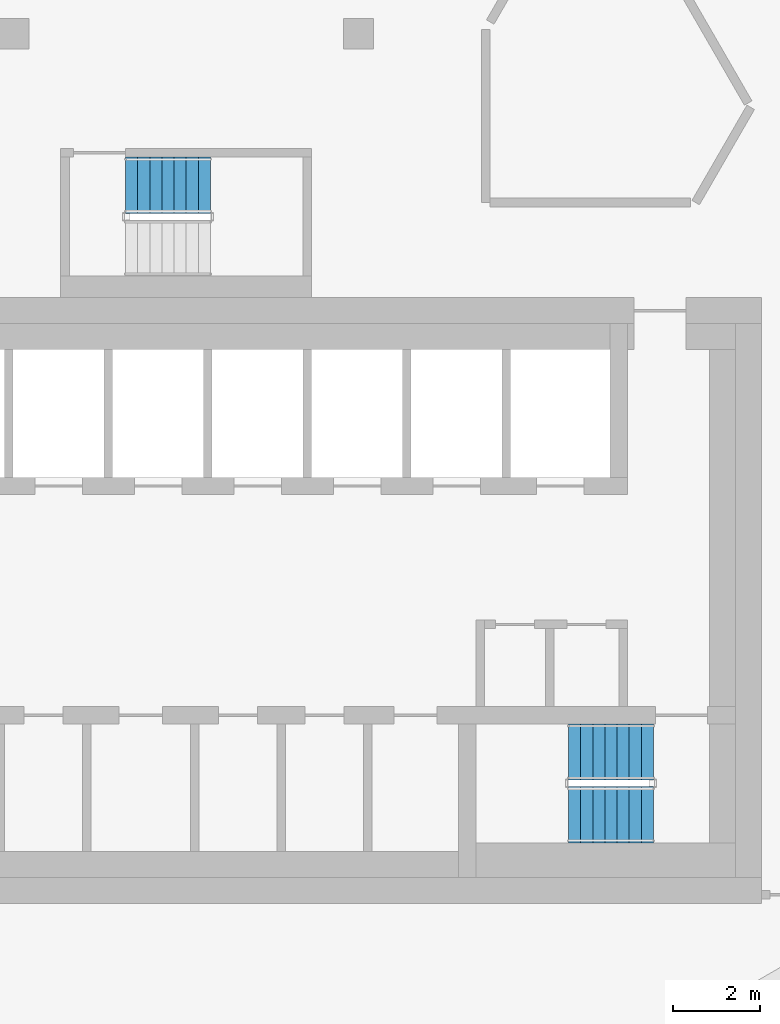
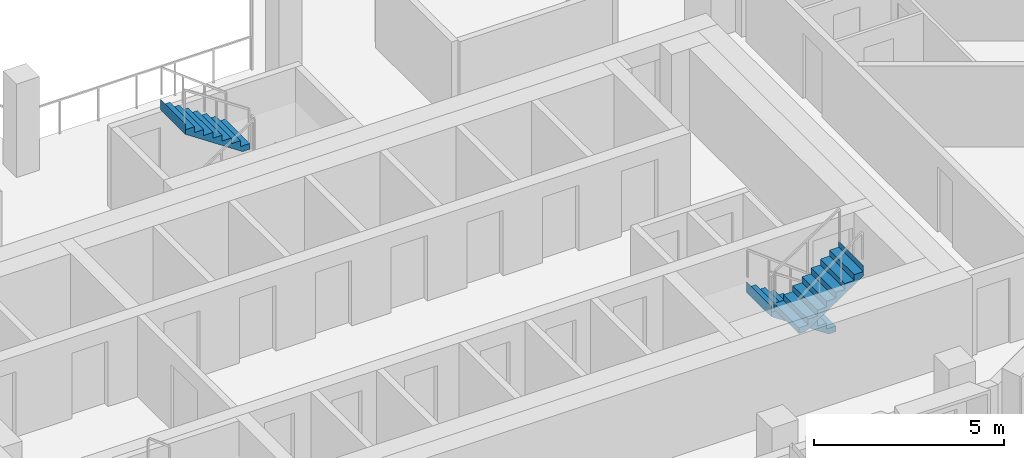
# One storey, part 13 of 18: 3 stair flights, 2 elements without a shape of their own.
"""IFC4 building model written with IfcOpenShell, lengths in metres."""

from ifc_helpers import new_model, si_unit, direction, frame, origin, place, context, subcontext, project, spatial, triangles, material, type_object, element, aggregate, save


model = new_model("IFC4")

# Units and contexts
model_context = context("Model", 3, precision=1e-05, world=origin(), true_north=direction((0.0, 1.0)))
body_context = subcontext(model_context, "Body", "Model", "MODEL_VIEW")
ifc_project = project(units=[si_unit("LENGTHUNIT", "METRE"), si_unit("AREAUNIT", "SQUARE_METRE"), si_unit("VOLUMEUNIT", "CUBIC_METRE"), si_unit("PLANEANGLEUNIT", "RADIAN"), si_unit("MASSUNIT", "GRAM", prefix="KILO")], contexts=[model_context])

# Site, building, storey
site_placement = place(None, origin())
site = spatial("IfcSite", under=ifc_project, at=site_placement, CompositionType="ELEMENT")
building_placement = place(site_placement, origin())
building = spatial("IfcBuilding", under=site, at=building_placement, Name="Beryl Residences", CompositionType="ELEMENT")
storey_placement = place(building_placement, frame((0.0, 0.0, 196.199951171875)))
storey = spatial("IfcBuildingStorey", under=building, at=storey_placement, Name="L60", CompositionType="ELEMENT", Elevation=196.199951171875)

# Stair, stair flights
ifc_material_1 = material(Name="Concrete C40/50", Category="concrete")
stair_type = type_object("IfcStairType", Name="ST1 protected exit stair, half-turn, 1300 mm flights", PredefinedType="HALF_TURN_STAIR", material=ifc_material_1)
stair_1_placement = place(storey_placement, origin())
stair_1 = element("IfcStair", 1, at=stair_1_placement, inside=storey, type_object=stair_type, Name="L60 PROTECTED EXIT STAIR ST-3", PredefinedType="HALF_TURN_STAIR")
ifc_material_2 = material(Name="Concrete C40/50", Category="concrete")
stair_flight_type = type_object("IfcStairFlightType", Name="SF1 stair flight 1300 mm", PredefinedType="STRAIGHT", material=ifc_material_2)
stair_flight_1_placement = place(storey_placement, frame((10.800048828125, -15.5, 0.0), z_axis=(0.0, 0.0, 1.0), x_axis=(-1.0, 0.0, 0.0)))
stair_flight_1 = element("IfcStairFlight", 2, at=stair_flight_1_placement, type_object=stair_flight_type, Name="ST-3 flight 1", NumberOfRisers=8, NumberOfTreads=7, PredefinedType="STRAIGHT", RiserHeight=0.1875, TreadLength=0.28, context=body_context, shape_type="Tessellation", body=[
    triangles([(0.0, -0.64990234375, 0.0), (0.0, -0.324951171875, 0.0), (0.0, 0.0, 0.0), (0.0, 0.324951171875, 0.0), (0.0, 0.64990234375, 0.0), (0.0, -0.64990234375, 0.1875), (0.0, -0.324951171875, 0.1875), (0.0, 0.0, 0.1875), (0.0, 0.324951171875, 0.1875), (0.0, 0.64990234375, 0.1875), (0.280029296875, -0.64990234375, 0.1875), (0.280029296875, -0.324951171875, 0.1875), (0.280029296875, 0.0, 0.1875), (0.280029296875, 0.324951171875, 0.1875), (0.280029296875, 0.64990234375, 0.1875), (0.280029296875, -0.64990234375, 0.375), (0.280029296875, -0.324951171875, 0.375), (0.280029296875, 0.0, 0.375), (0.280029296875, 0.324951171875, 0.375), (0.280029296875, 0.64990234375, 0.375), (0.56005859375, -0.64990234375, 0.375), (0.56005859375, -0.324951171875, 0.375), (0.56005859375, 0.0, 0.375), (0.56005859375, 0.324951171875, 0.375), (0.56005859375, 0.64990234375, 0.375), (0.56005859375, -0.64990234375, 0.5625), (0.56005859375, -0.324951171875, 0.5625), (0.56005859375, 0.0, 0.5625), (0.56005859375, 0.324951171875, 0.5625), (0.56005859375, 0.64990234375, 0.5625), (0.840087890625, -0.64990234375, 0.5625), (0.840087890625, -0.324951171875, 0.5625), (0.840087890625, 0.0, 0.5625), (0.840087890625, 0.324951171875, 0.5625), (0.840087890625, 0.64990234375, 0.5625), (0.840087890625, -0.64990234375, 0.75), (0.840087890625, -0.324951171875, 0.75), (0.840087890625, 0.0, 0.75), (0.840087890625, 0.324951171875, 0.75), (0.840087890625, 0.64990234375, 0.75), (1.1201171875, -0.64990234375, 0.75), (1.1201171875, -0.324951171875, 0.75), (1.1201171875, 0.0, 0.75), (1.1201171875, 0.324951171875, 0.75), (1.1201171875, 0.64990234375, 0.75), (1.1201171875, -0.64990234375, 0.9375), (1.1201171875, -0.324951171875, 0.9375), (1.1201171875, 0.0, 0.9375), (1.1201171875, 0.324951171875, 0.9375), (1.1201171875, 0.64990234375, 0.9375), (1.39990234375, -0.64990234375, 0.9375), (1.39990234375, -0.324951171875, 0.9375), (1.39990234375, 0.0, 0.9375), (1.39990234375, 0.324951171875, 0.9375), (1.39990234375, 0.64990234375, 0.9375), (1.39990234375, -0.64990234375, 1.125), (1.39990234375, -0.324951171875, 1.125), (1.39990234375, 0.0, 1.125), (1.39990234375, 0.324951171875, 1.125), (1.39990234375, 0.64990234375, 1.125), (1.679931640625, -0.64990234375, 1.125), (1.679931640625, -0.324951171875, 1.125), (1.679931640625, 0.0, 1.125), (1.679931640625, 0.324951171875, 1.125), (1.679931640625, 0.64990234375, 1.125), (1.679931640625, -0.64990234375, 1.3125), (1.679931640625, -0.324951171875, 1.3125), (1.679931640625, 0.0, 1.3125), (1.679931640625, 0.324951171875, 1.3125), (1.679931640625, 0.64990234375, 1.3125), (1.9599609375, -0.64990234375, 1.3125), (1.9599609375, -0.324951171875, 1.3125), (1.9599609375, 0.0, 1.3125), (1.9599609375, 0.324951171875, 1.3125), (1.9599609375, 0.64990234375, 1.3125), (1.9599609375, -0.64990234375, 1.5), (1.9599609375, -0.324951171875, 1.5), (1.9599609375, 0.0, 1.5), (1.9599609375, 0.324951171875, 1.5), (1.9599609375, 0.64990234375, 1.5), (1.9609375, -0.64990234375, 1.5), (1.9609375, -0.324951171875, 1.5), (1.9609375, 0.0, 1.5), (1.9609375, 0.324951171875, 1.5), (1.9609375, 0.64990234375, 1.5), (1.9609375, -0.64990234375, 1.16796875), (1.9609375, -0.324951171875, 1.16796875), (1.9609375, 0.0, 1.16796875), (1.9609375, 0.324951171875, 1.16796875), (1.9609375, 0.64990234375, 1.16796875), (0.216796875, -0.64990234375, 0.0), (0.216796875, -0.324951171875, 0.0), (0.216796875, 0.0, 0.0), (0.216796875, 0.324951171875, 0.0), (0.216796875, 0.64990234375, 0.0)], [[1, 6, 7], [1, 7, 2], [2, 7, 8], [2, 8, 3], [3, 8, 9], [3, 9, 4], [4, 9, 10], [4, 10, 5], [6, 11, 12], [6, 12, 7], [7, 12, 13], [7, 13, 8], [8, 13, 14], [8, 14, 9], [9, 14, 15], [9, 15, 10], [11, 16, 17], [11, 17, 12], [12, 17, 18], [12, 18, 13], [13, 18, 19], [13, 19, 14], [14, 19, 20], [14, 20, 15], [16, 21, 22], [16, 22, 17], [17, 22, 23], [17, 23, 18], [18, 23, 24], [18, 24, 19], [19, 24, 25], [19, 25, 20], [21, 26, 27], [21, 27, 22], [22, 27, 28], [22, 28, 23], [23, 28, 29], [23, 29, 24], [24, 29, 30], [24, 30, 25], [26, 31, 32], [26, 32, 27], [27, 32, 33], [27, 33, 28], [28, 33, 34], [28, 34, 29], [29, 34, 35], [29, 35, 30], [31, 36, 37], [31, 37, 32], [32, 37, 38], [32, 38, 33], [33, 38, 39], [33, 39, 34], [34, 39, 40], [34, 40, 35], [36, 41, 42], [36, 42, 37], [37, 42, 43], [37, 43, 38], [38, 43, 44], [38, 44, 39], [39, 44, 45], [39, 45, 40], [41, 46, 47], [41, 47, 42], [42, 47, 48], [42, 48, 43], [43, 48, 49], [43, 49, 44], [44, 49, 50], [44, 50, 45], [46, 51, 52], [46, 52, 47], [47, 52, 53], [47, 53, 48], [48, 53, 54], [48, 54, 49], [49, 54, 55], [49, 55, 50], [51, 56, 57], [51, 57, 52], [52, 57, 58], [52, 58, 53], [53, 58, 59], [53, 59, 54], [54, 59, 60], [54, 60, 55], [56, 61, 62], [56, 62, 57], [57, 62, 63], [57, 63, 58], [58, 63, 64], [58, 64, 59], [59, 64, 65], [59, 65, 60], [61, 66, 67], [61, 67, 62], [62, 67, 68], [62, 68, 63], [63, 68, 69], [63, 69, 64], [64, 69, 70], [64, 70, 65], [66, 71, 72], [66, 72, 67], [67, 72, 73], [67, 73, 68], [68, 73, 74], [68, 74, 69], [69, 74, 75], [69, 75, 70], [71, 76, 77], [71, 77, 72], [72, 77, 78], [72, 78, 73], [73, 78, 79], [73, 79, 74], [74, 79, 80], [74, 80, 75], [76, 81, 82], [76, 82, 77], [77, 82, 83], [77, 83, 78], [78, 83, 84], [78, 84, 79], [79, 84, 85], [79, 85, 80], [81, 86, 87], [81, 87, 82], [82, 87, 88], [82, 88, 83], [83, 88, 89], [83, 89, 84], [84, 89, 90], [84, 90, 85], [86, 91, 92], [86, 92, 87], [87, 92, 93], [87, 93, 88], [88, 93, 94], [88, 94, 89], [89, 94, 95], [89, 95, 90], [91, 1, 2], [91, 2, 92], [92, 2, 3], [92, 3, 93], [93, 3, 4], [93, 4, 94], [94, 4, 5], [94, 5, 95], [1, 91, 86], [5, 90, 95], [86, 81, 76], [90, 80, 85], [86, 76, 71], [90, 75, 80], [86, 71, 66], [90, 70, 75], [86, 66, 61], [90, 65, 70], [61, 56, 51], [65, 55, 60], [86, 61, 51], [90, 55, 65], [51, 46, 41], [55, 45, 50], [86, 51, 41], [90, 45, 55], [41, 36, 31], [45, 35, 40], [86, 41, 31], [90, 35, 45], [31, 26, 21], [35, 25, 30], [86, 31, 21], [90, 25, 35], [21, 16, 11], [25, 15, 20], [86, 21, 11], [90, 15, 25], [1, 86, 11], [5, 15, 90], [11, 6, 1], [15, 5, 10]], closed=True),
])
stair_flight_2_placement = place(storey_placement, frame((8.840087890625, -16.949951171875, 1.5), z_axis=(0.0, 0.0, 1.0), x_axis=(1.0, 0.0, 0.0)))
stair_flight_2 = element("IfcStairFlight", 3, at=stair_flight_2_placement, type_object=stair_flight_type, Name="ST-3 flight 2", NumberOfRisers=8, NumberOfTreads=7, PredefinedType="STRAIGHT", RiserHeight=0.1875, TreadLength=0.28, context=body_context, shape_type="Tessellation", body=[
    triangles([(0.0, -0.64990234375, 0.0), (0.0, -0.324951171875, 0.0), (0.0, 0.0, 0.0), (0.0, 0.324951171875, 0.0), (0.0, 0.64990234375, 0.0), (0.0, -0.64990234375, 0.1875), (0.0, -0.324951171875, 0.1875), (0.0, 0.0, 0.1875), (0.0, 0.324951171875, 0.1875), (0.0, 0.64990234375, 0.1875), (0.280029296875, -0.64990234375, 0.1875), (0.280029296875, -0.324951171875, 0.1875), (0.280029296875, 0.0, 0.1875), (0.280029296875, 0.324951171875, 0.1875), (0.280029296875, 0.64990234375, 0.1875), (0.280029296875, -0.64990234375, 0.375), (0.280029296875, -0.324951171875, 0.375), (0.280029296875, 0.0, 0.375), (0.280029296875, 0.324951171875, 0.375), (0.280029296875, 0.64990234375, 0.375), (0.56005859375, -0.64990234375, 0.375), (0.56005859375, -0.324951171875, 0.375), (0.56005859375, 0.0, 0.375), (0.56005859375, 0.324951171875, 0.375), (0.56005859375, 0.64990234375, 0.375), (0.56005859375, -0.64990234375, 0.5625), (0.56005859375, -0.324951171875, 0.5625), (0.56005859375, 0.0, 0.5625), (0.56005859375, 0.324951171875, 0.5625), (0.56005859375, 0.64990234375, 0.5625), (0.840087890625, -0.64990234375, 0.5625), (0.840087890625, -0.324951171875, 0.5625), (0.840087890625, 0.0, 0.5625), (0.840087890625, 0.324951171875, 0.5625), (0.840087890625, 0.64990234375, 0.5625), (0.840087890625, -0.64990234375, 0.75), (0.840087890625, -0.324951171875, 0.75), (0.840087890625, 0.0, 0.75), (0.840087890625, 0.324951171875, 0.75), (0.840087890625, 0.64990234375, 0.75), (1.1201171875, -0.64990234375, 0.75), (1.1201171875, -0.324951171875, 0.75), (1.1201171875, 0.0, 0.75), (1.1201171875, 0.324951171875, 0.75), (1.1201171875, 0.64990234375, 0.75), (1.1201171875, -0.64990234375, 0.9375), (1.1201171875, -0.324951171875, 0.9375), (1.1201171875, 0.0, 0.9375), (1.1201171875, 0.324951171875, 0.9375), (1.1201171875, 0.64990234375, 0.9375), (1.39990234375, -0.64990234375, 0.9375), (1.39990234375, -0.324951171875, 0.9375), (1.39990234375, 0.0, 0.9375), (1.39990234375, 0.324951171875, 0.9375), (1.39990234375, 0.64990234375, 0.9375), (1.39990234375, -0.64990234375, 1.125), (1.39990234375, -0.324951171875, 1.125), (1.39990234375, 0.0, 1.125), (1.39990234375, 0.324951171875, 1.125), (1.39990234375, 0.64990234375, 1.125), (1.679931640625, -0.64990234375, 1.125), (1.679931640625, -0.324951171875, 1.125), (1.679931640625, 0.0, 1.125), (1.679931640625, 0.324951171875, 1.125), (1.679931640625, 0.64990234375, 1.125), (1.679931640625, -0.64990234375, 1.3125), (1.679931640625, -0.324951171875, 1.3125), (1.679931640625, 0.0, 1.3125), (1.679931640625, 0.324951171875, 1.3125), (1.679931640625, 0.64990234375, 1.3125), (1.9599609375, -0.64990234375, 1.3125), (1.9599609375, -0.324951171875, 1.3125), (1.9599609375, 0.0, 1.3125), (1.9599609375, 0.324951171875, 1.3125), (1.9599609375, 0.64990234375, 1.3125), (1.9599609375, -0.64990234375, 1.5), (1.9599609375, -0.324951171875, 1.5), (1.9599609375, 0.0, 1.5), (1.9599609375, 0.324951171875, 1.5), (1.9599609375, 0.64990234375, 1.5), (1.9609375, -0.64990234375, 1.5), (1.9609375, -0.324951171875, 1.5), (1.9609375, 0.0, 1.5), (1.9609375, 0.324951171875, 1.5), (1.9609375, 0.64990234375, 1.5), (1.9609375, -0.64990234375, 1.16796875), (1.9609375, -0.324951171875, 1.16796875), (1.9609375, 0.0, 1.16796875), (1.9609375, 0.324951171875, 1.16796875), (1.9609375, 0.64990234375, 1.16796875), (0.216796875, -0.64990234375, 0.0), (0.216796875, -0.324951171875, 0.0), (0.216796875, 0.0, 0.0), (0.216796875, 0.324951171875, 0.0), (0.216796875, 0.64990234375, 0.0)], [[1, 6, 7], [1, 7, 2], [2, 7, 8], [2, 8, 3], [3, 8, 9], [3, 9, 4], [4, 9, 10], [4, 10, 5], [6, 11, 12], [6, 12, 7], [7, 12, 13], [7, 13, 8], [8, 13, 14], [8, 14, 9], [9, 14, 15], [9, 15, 10], [11, 16, 17], [11, 17, 12], [12, 17, 18], [12, 18, 13], [13, 18, 19], [13, 19, 14], [14, 19, 20], [14, 20, 15], [16, 21, 22], [16, 22, 17], [17, 22, 23], [17, 23, 18], [18, 23, 24], [18, 24, 19], [19, 24, 25], [19, 25, 20], [21, 26, 27], [21, 27, 22], [22, 27, 28], [22, 28, 23], [23, 28, 29], [23, 29, 24], [24, 29, 30], [24, 30, 25], [26, 31, 32], [26, 32, 27], [27, 32, 33], [27, 33, 28], [28, 33, 34], [28, 34, 29], [29, 34, 35], [29, 35, 30], [31, 36, 37], [31, 37, 32], [32, 37, 38], [32, 38, 33], [33, 38, 39], [33, 39, 34], [34, 39, 40], [34, 40, 35], [36, 41, 42], [36, 42, 37], [37, 42, 43], [37, 43, 38], [38, 43, 44], [38, 44, 39], [39, 44, 45], [39, 45, 40], [41, 46, 47], [41, 47, 42], [42, 47, 48], [42, 48, 43], [43, 48, 49], [43, 49, 44], [44, 49, 50], [44, 50, 45], [46, 51, 52], [46, 52, 47], [47, 52, 53], [47, 53, 48], [48, 53, 54], [48, 54, 49], [49, 54, 55], [49, 55, 50], [51, 56, 57], [51, 57, 52], [52, 57, 58], [52, 58, 53], [53, 58, 59], [53, 59, 54], [54, 59, 60], [54, 60, 55], [56, 61, 62], [56, 62, 57], [57, 62, 63], [57, 63, 58], [58, 63, 64], [58, 64, 59], [59, 64, 65], [59, 65, 60], [61, 66, 67], [61, 67, 62], [62, 67, 68], [62, 68, 63], [63, 68, 69], [63, 69, 64], [64, 69, 70], [64, 70, 65], [66, 71, 72], [66, 72, 67], [67, 72, 73], [67, 73, 68], [68, 73, 74], [68, 74, 69], [69, 74, 75], [69, 75, 70], [71, 76, 77], [71, 77, 72], [72, 77, 78], [72, 78, 73], [73, 78, 79], [73, 79, 74], [74, 79, 80], [74, 80, 75], [76, 81, 82], [76, 82, 77], [77, 82, 83], [77, 83, 78], [78, 83, 84], [78, 84, 79], [79, 84, 85], [79, 85, 80], [81, 86, 87], [81, 87, 82], [82, 87, 88], [82, 88, 83], [83, 88, 89], [83, 89, 84], [84, 89, 90], [84, 90, 85], [86, 91, 92], [86, 92, 87], [87, 92, 93], [87, 93, 88], [88, 93, 94], [88, 94, 89], [89, 94, 95], [89, 95, 90], [91, 1, 2], [91, 2, 92], [92, 2, 3], [92, 3, 93], [93, 3, 4], [93, 4, 94], [94, 4, 5], [94, 5, 95], [1, 91, 86], [5, 90, 95], [86, 81, 76], [90, 80, 85], [86, 76, 71], [90, 75, 80], [86, 71, 66], [90, 70, 75], [86, 66, 61], [90, 65, 70], [61, 56, 51], [65, 55, 60], [86, 61, 51], [90, 55, 65], [51, 46, 41], [55, 45, 50], [86, 51, 41], [90, 45, 55], [41, 36, 31], [45, 35, 40], [86, 41, 31], [90, 35, 45], [31, 26, 21], [35, 25, 30], [86, 31, 21], [90, 25, 35], [21, 16, 11], [25, 15, 20], [86, 21, 11], [90, 15, 25], [1, 86, 11], [5, 15, 90], [11, 6, 1], [15, 5, 10]], closed=True),
])
aggregate(stair_1, [stair_flight_1, stair_flight_2])

# Stair, stair flight
stair_2_placement = place(storey_placement, origin())
stair_2 = element("IfcStair", 4, at=stair_2_placement, inside=storey, type_object=stair_type, Name="L60 PROTECTED EXIT STAIR ST-4", PredefinedType="HALF_TURN_STAIR")
stair_flight_3_placement = place(storey_placement, frame((0.56005859375, -2.39990234375, 1.5), z_axis=(0.0, 0.0, 1.0), x_axis=(-1.0, 0.0, 0.0)))
stair_flight_3 = element("IfcStairFlight", 5, at=stair_flight_3_placement, type_object=stair_flight_type, Name="ST-4 flight 2", NumberOfRisers=8, NumberOfTreads=7, PredefinedType="STRAIGHT", RiserHeight=0.1875, TreadLength=0.28, context=body_context, shape_type="Tessellation", body=[
    triangles([(0.0, -0.64990234375, 0.0), (0.0, -0.324951171875, 0.0), (0.0, 0.0, 0.0), (0.0, 0.324951171875, 0.0), (0.0, 0.64990234375, 0.0), (0.0, -0.64990234375, 0.1875), (0.0, -0.324951171875, 0.1875), (0.0, 0.0, 0.1875), (0.0, 0.324951171875, 0.1875), (0.0, 0.64990234375, 0.1875), (0.280029296875, -0.64990234375, 0.1875), (0.280029296875, -0.324951171875, 0.1875), (0.280029296875, 0.0, 0.1875), (0.280029296875, 0.324951171875, 0.1875), (0.280029296875, 0.64990234375, 0.1875), (0.280029296875, -0.64990234375, 0.375), (0.280029296875, -0.324951171875, 0.375), (0.280029296875, 0.0, 0.375), (0.280029296875, 0.324951171875, 0.375), (0.280029296875, 0.64990234375, 0.375), (0.56005859375, -0.64990234375, 0.375), (0.56005859375, -0.324951171875, 0.375), (0.56005859375, 0.0, 0.375), (0.56005859375, 0.324951171875, 0.375), (0.56005859375, 0.64990234375, 0.375), (0.56005859375, -0.64990234375, 0.5625), (0.56005859375, -0.324951171875, 0.5625), (0.56005859375, 0.0, 0.5625), (0.56005859375, 0.324951171875, 0.5625), (0.56005859375, 0.64990234375, 0.5625), (0.840087890625, -0.64990234375, 0.5625), (0.840087890625, -0.324951171875, 0.5625), (0.840087890625, 0.0, 0.5625), (0.840087890625, 0.324951171875, 0.5625), (0.840087890625, 0.64990234375, 0.5625), (0.840087890625, -0.64990234375, 0.75), (0.840087890625, -0.324951171875, 0.75), (0.840087890625, 0.0, 0.75), (0.840087890625, 0.324951171875, 0.75), (0.840087890625, 0.64990234375, 0.75), (1.1201171875, -0.64990234375, 0.75), (1.1201171875, -0.324951171875, 0.75), (1.1201171875, 0.0, 0.75), (1.1201171875, 0.324951171875, 0.75), (1.1201171875, 0.64990234375, 0.75), (1.1201171875, -0.64990234375, 0.9375), (1.1201171875, -0.324951171875, 0.9375), (1.1201171875, 0.0, 0.9375), (1.1201171875, 0.324951171875, 0.9375), (1.1201171875, 0.64990234375, 0.9375), (1.39990234375, -0.64990234375, 0.9375), (1.39990234375, -0.324951171875, 0.9375), (1.39990234375, 0.0, 0.9375), (1.39990234375, 0.324951171875, 0.9375), (1.39990234375, 0.64990234375, 0.9375), (1.39990234375, -0.64990234375, 1.125), (1.39990234375, -0.324951171875, 1.125), (1.39990234375, 0.0, 1.125), (1.39990234375, 0.324951171875, 1.125), (1.39990234375, 0.64990234375, 1.125), (1.679931640625, -0.64990234375, 1.125), (1.679931640625, -0.324951171875, 1.125), (1.679931640625, 0.0, 1.125), (1.679931640625, 0.324951171875, 1.125), (1.679931640625, 0.64990234375, 1.125), (1.679931640625, -0.64990234375, 1.3125), (1.679931640625, -0.324951171875, 1.3125), (1.679931640625, 0.0, 1.3125), (1.679931640625, 0.324951171875, 1.3125), (1.679931640625, 0.64990234375, 1.3125), (1.9599609375, -0.64990234375, 1.3125), (1.9599609375, -0.324951171875, 1.3125), (1.9599609375, 0.0, 1.3125), (1.9599609375, 0.324951171875, 1.3125), (1.9599609375, 0.64990234375, 1.3125), (1.9599609375, -0.64990234375, 1.5), (1.9599609375, -0.324951171875, 1.5), (1.9599609375, 0.0, 1.5), (1.9599609375, 0.324951171875, 1.5), (1.9599609375, 0.64990234375, 1.5), (1.9609375, -0.64990234375, 1.5), (1.9609375, -0.324951171875, 1.5), (1.9609375, 0.0, 1.5), (1.9609375, 0.324951171875, 1.5), (1.9609375, 0.64990234375, 1.5), (1.9609375, -0.64990234375, 1.16796875), (1.9609375, -0.324951171875, 1.16796875), (1.9609375, 0.0, 1.16796875), (1.9609375, 0.324951171875, 1.16796875), (1.9609375, 0.64990234375, 1.16796875), (0.216796875, -0.64990234375, 0.0), (0.216796875, -0.324951171875, 0.0), (0.216796875, 0.0, 0.0), (0.216796875, 0.324951171875, 0.0), (0.216796875, 0.64990234375, 0.0)], [[1, 6, 7], [1, 7, 2], [2, 7, 8], [2, 8, 3], [3, 8, 9], [3, 9, 4], [4, 9, 10], [4, 10, 5], [6, 11, 12], [6, 12, 7], [7, 12, 13], [7, 13, 8], [8, 13, 14], [8, 14, 9], [9, 14, 15], [9, 15, 10], [11, 16, 17], [11, 17, 12], [12, 17, 18], [12, 18, 13], [13, 18, 19], [13, 19, 14], [14, 19, 20], [14, 20, 15], [16, 21, 22], [16, 22, 17], [17, 22, 23], [17, 23, 18], [18, 23, 24], [18, 24, 19], [19, 24, 25], [19, 25, 20], [21, 26, 27], [21, 27, 22], [22, 27, 28], [22, 28, 23], [23, 28, 29], [23, 29, 24], [24, 29, 30], [24, 30, 25], [26, 31, 32], [26, 32, 27], [27, 32, 33], [27, 33, 28], [28, 33, 34], [28, 34, 29], [29, 34, 35], [29, 35, 30], [31, 36, 37], [31, 37, 32], [32, 37, 38], [32, 38, 33], [33, 38, 39], [33, 39, 34], [34, 39, 40], [34, 40, 35], [36, 41, 42], [36, 42, 37], [37, 42, 43], [37, 43, 38], [38, 43, 44], [38, 44, 39], [39, 44, 45], [39, 45, 40], [41, 46, 47], [41, 47, 42], [42, 47, 48], [42, 48, 43], [43, 48, 49], [43, 49, 44], [44, 49, 50], [44, 50, 45], [46, 51, 52], [46, 52, 47], [47, 52, 53], [47, 53, 48], [48, 53, 54], [48, 54, 49], [49, 54, 55], [49, 55, 50], [51, 56, 57], [51, 57, 52], [52, 57, 58], [52, 58, 53], [53, 58, 59], [53, 59, 54], [54, 59, 60], [54, 60, 55], [56, 61, 62], [56, 62, 57], [57, 62, 63], [57, 63, 58], [58, 63, 64], [58, 64, 59], [59, 64, 65], [59, 65, 60], [61, 66, 67], [61, 67, 62], [62, 67, 68], [62, 68, 63], [63, 68, 69], [63, 69, 64], [64, 69, 70], [64, 70, 65], [66, 71, 72], [66, 72, 67], [67, 72, 73], [67, 73, 68], [68, 73, 74], [68, 74, 69], [69, 74, 75], [69, 75, 70], [71, 76, 77], [71, 77, 72], [72, 77, 78], [72, 78, 73], [73, 78, 79], [73, 79, 74], [74, 79, 80], [74, 80, 75], [76, 81, 82], [76, 82, 77], [77, 82, 83], [77, 83, 78], [78, 83, 84], [78, 84, 79], [79, 84, 85], [79, 85, 80], [81, 86, 87], [81, 87, 82], [82, 87, 88], [82, 88, 83], [83, 88, 89], [83, 89, 84], [84, 89, 90], [84, 90, 85], [86, 91, 92], [86, 92, 87], [87, 92, 93], [87, 93, 88], [88, 93, 94], [88, 94, 89], [89, 94, 95], [89, 95, 90], [91, 1, 2], [91, 2, 92], [92, 2, 3], [92, 3, 93], [93, 3, 4], [93, 4, 94], [94, 4, 5], [94, 5, 95], [1, 91, 86], [5, 90, 95], [86, 81, 76], [90, 80, 85], [86, 76, 71], [90, 75, 80], [86, 71, 66], [90, 70, 75], [86, 66, 61], [90, 65, 70], [61, 56, 51], [65, 55, 60], [86, 61, 51], [90, 55, 65], [51, 46, 41], [55, 45, 50], [86, 51, 41], [90, 45, 55], [41, 36, 31], [45, 35, 40], [86, 41, 31], [90, 35, 45], [31, 26, 21], [35, 25, 30], [86, 31, 21], [90, 25, 35], [21, 16, 11], [25, 15, 20], [86, 21, 11], [90, 15, 25], [1, 86, 11], [5, 15, 90], [11, 6, 1], [15, 5, 10]], closed=True),
])
aggregate(stair_2, [stair_flight_3])

save(model, "model.ifc")
